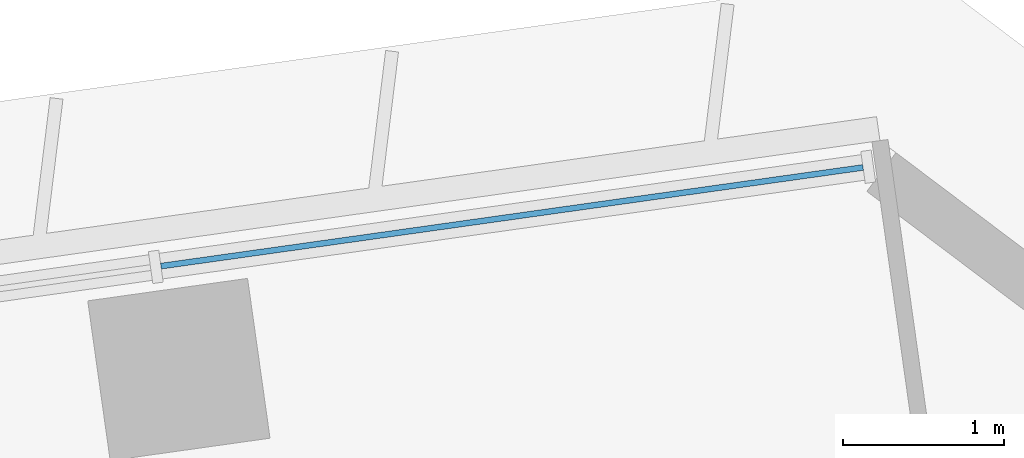
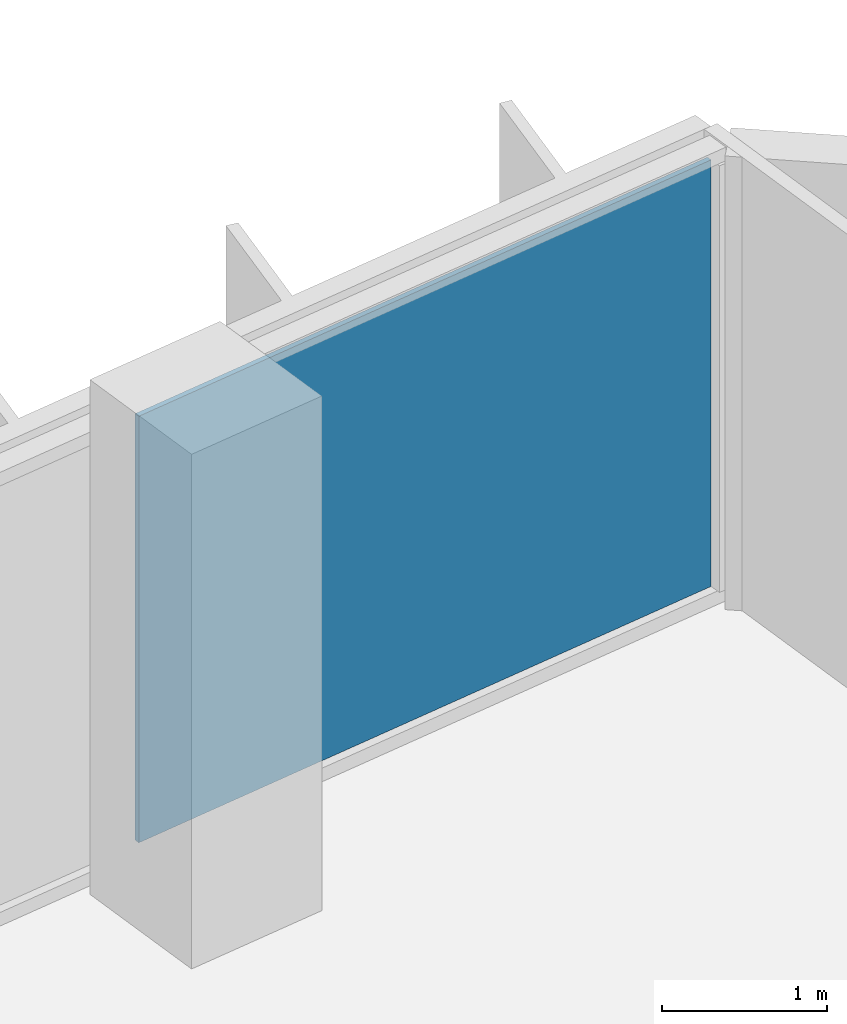
# One storey, part 13 of 24: 1 plate, 1 element without a shape of its own.
"""IFC4 building model written with IfcOpenShell, lengths in metres."""

from ifc_helpers import new_model, si_unit, direction, frame, origin, origin_2d, place, context, subcontext, project, spatial, rectangle, extrude, material, layer, layer_set, type_object, element, aggregate, save


model = new_model("IFC4")

# Units and contexts
model_context = context("Model", 3, precision=1e-05, world=origin(), true_north=direction((0.0, 1.0)))
body_context = subcontext(model_context, "Body", "Model", "MODEL_VIEW")
ifc_project = project(units=[si_unit("LENGTHUNIT", "METRE"), si_unit("AREAUNIT", "SQUARE_METRE"), si_unit("VOLUMEUNIT", "CUBIC_METRE"), si_unit("PLANEANGLEUNIT", "RADIAN"), si_unit("MASSUNIT", "GRAM", prefix="KILO")], contexts=[model_context])

# Site, building, storey
site_placement = place(None, origin())
site = spatial("IfcSite", under=ifc_project, at=site_placement, CompositionType="ELEMENT")
building_placement = place(site_placement, origin())
building = spatial("IfcBuilding", under=site, at=building_placement, Name="Mirante Cascada Hotel Towers", CompositionType="ELEMENT")
storey_placement = place(building_placement, frame((0.0, 0.0, 50.9)))
storey = spatial("IfcBuildingStorey", under=building, at=storey_placement, Name="L09", CompositionType="ELEMENT", Elevation=50.9)

# Curtain wall, plate
ifc_material_1 = material(Name="Aluminium mullion and transom frame with clear laminated glass", Category="aluminium")
curtain_wall_type = type_object("IfcCurtainWallType", Name="Ribbon curtain wall ECW1", PredefinedType="NOTDEFINED", material=ifc_material_1)
curtain_wall_placement = place(storey_placement, origin())
curtain_wall = element("IfcCurtainWall", 1, at=curtain_wall_placement, inside=storey, type_object=curtain_wall_type, Name="Front ribbon wall T2 L09", PredefinedType="NOTDEFINED")
ifc_material_2 = material(Name="Clear laminated glass", Category="glass")
ifc_layer = layer(ifc_material_2, 0.036)
ifc_layer_set = layer_set([ifc_layer], Name="ECW1 glass panel 36")
plate_type = type_object("IfcPlateType", Name="ECW1 glass panel 36", PredefinedType="CURTAIN_PANEL", material=ifc_layer_set)
plate_placement = place(storey_placement, frame((91.9184, 25.7373, 0.1), z_axis=(0.0, 0.0, 1.0), x_axis=(-0.9902681, -0.1391731, 0.0)))
plate = element("IfcPlate", 2, at=plate_placement, type_object=plate_type, Name="ECW1 panel 1", PredefinedType="CURTAIN_PANEL", context=body_context, shape_type="SweptSolid", body=[
    extrude(rectangle(XDim=4.3936, YDim=0.036, at=origin_2d()), origin(), (0.0, 0.0, 1.0), 3.15),
])
aggregate(curtain_wall, [plate])

save(model, "model.ifc")
